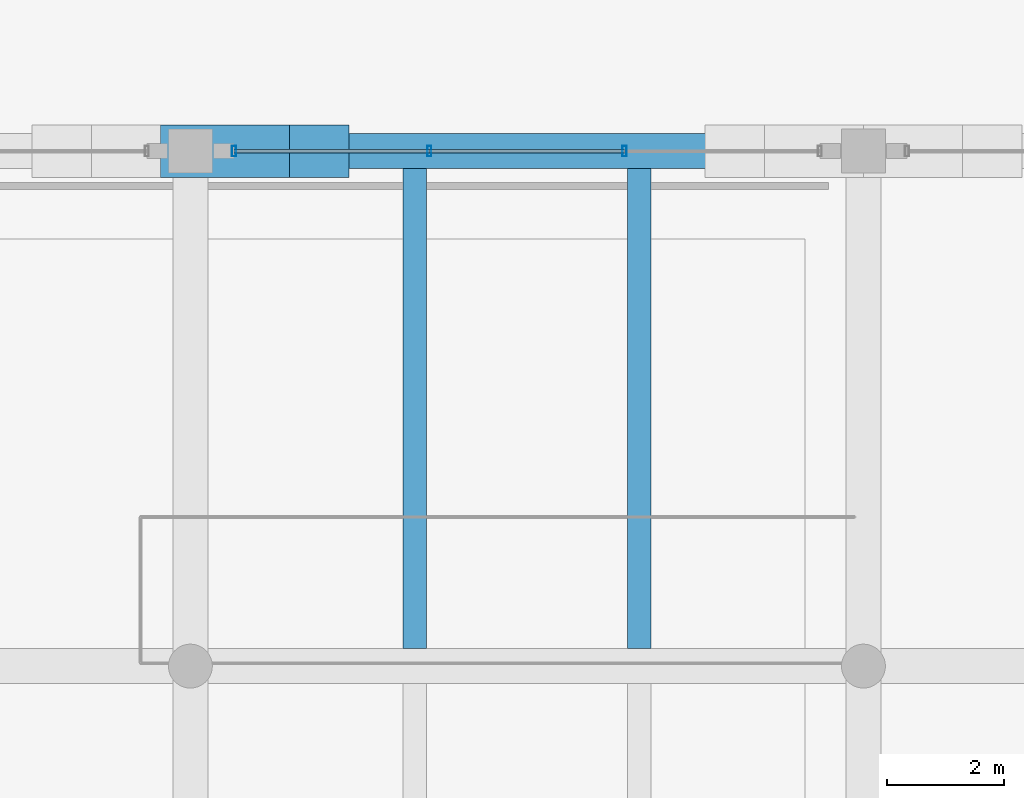
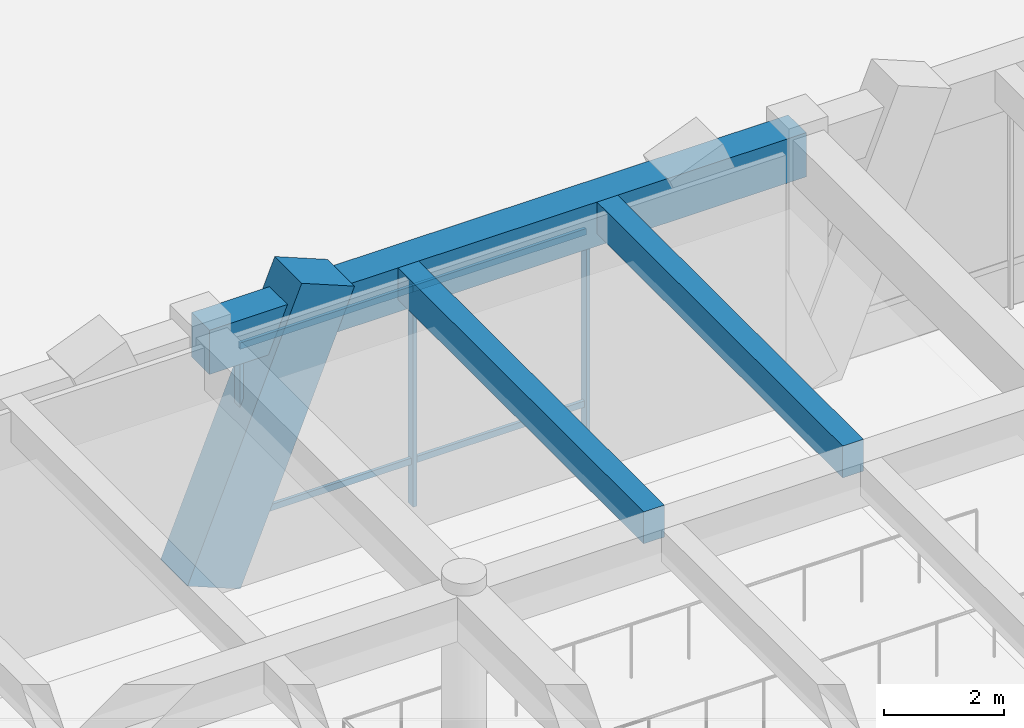
# One storey, part 43 of 148: 8 members, 3 beams, 1 element without a shape of its own.
"""IFC4 building model written with IfcOpenShell, lengths in metres."""

from ifc_helpers import new_model, si_unit, direction, frame, origin, origin_2d, place, context, subcontext, project, spatial, rectangle, hollow_rectangle, extrude, material, material_profile, profile_set, type_object, element, aggregate, save


model = new_model("IFC4")

# Units and contexts
model_context = context("Model", 3, precision=1e-05, world=origin(), true_north=direction((0.0, 1.0)))
body_context = subcontext(model_context, "Body", "Model", "MODEL_VIEW")
ifc_project = project(units=[si_unit("LENGTHUNIT", "METRE"), si_unit("AREAUNIT", "SQUARE_METRE"), si_unit("VOLUMEUNIT", "CUBIC_METRE"), si_unit("PLANEANGLEUNIT", "RADIAN"), si_unit("MASSUNIT", "GRAM", prefix="KILO")], contexts=[model_context])

# Site, building, storey
site_placement = place(None, origin())
site = spatial("IfcSite", under=ifc_project, at=site_placement, CompositionType="ELEMENT")
building_placement = place(site_placement, origin())
building = spatial("IfcBuilding", under=site, at=building_placement, Name="Ologun Quay Terminus", CompositionType="ELEMENT")
storey_placement = place(building_placement, frame((0.0, 0.0, 8.39990234375)))
storey = spatial("IfcBuildingStorey", under=building, at=storey_placement, Name="L02", CompositionType="ELEMENT", Elevation=8.39990234375)

# Curtain wall, members
ifc_material_1 = material(Name="Aluminium 6063-T6", Category="aluminium")
curtain_wall_type = type_object("IfcCurtainWallType", Name="Train Shed South Clerestory Curtain Wall 10700x5050", PredefinedType="USERDEFINED", material=ifc_material_1)
curtain_wall_placement = place(storey_placement, origin())
curtain_wall = element("IfcCurtainWall", 1, at=curtain_wall_placement, inside=storey, type_object=curtain_wall_type, Name="CW-08 Curtain Wall CW-L02-062", ObjectType="UNITISED CURTAIN WALL", PredefinedType="USERDEFINED")
ifc_material_2 = material(Name="Aluminium 6063-T6", Category="aluminium")
ifc_material_profile_1 = material_profile(ifc_material_2, hollow_rectangle(XDim=0.070068359375, YDim=0.179931640625, WallThickness=0.0048828125, at=origin_2d()), Name="ALU 180x70x5")
ifc_profile_set_1 = profile_set([ifc_material_profile_1], Name="Aluminium 6063-T6")
member_type_1 = type_object("IfcMemberType", Name="Concourse Clerestory Mullion 180x70", PredefinedType="MULLION", material=ifc_profile_set_1)
member_1_placement = place(storey_placement, frame((104.2451171875, 36.0, 0.0), z_axis=(0.0, 0.0, 1.0), x_axis=(1.0, 0.0, 0.0)))
member_1 = element("IfcMember", 2, at=member_1_placement, type_object=member_type_1, Name="CW-L02-062 Mullion 1", PredefinedType="MULLION", context=body_context, shape_type="SweptSolid", body=[
    extrude(hollow_rectangle(XDim=0.070068359375, YDim=0.179931640625, WallThickness=0.0048828125, at=origin_2d()), origin(), (0.0, 0.0, 1.0), 5.10009765625),
])
member_2_placement = place(storey_placement, frame((107.581787109375, 36.0, 0.0), z_axis=(0.0, 0.0, 1.0), x_axis=(1.0, 0.0, 0.0)))
member_2 = element("IfcMember", 3, at=member_2_placement, type_object=member_type_1, Name="CW-L02-062 Mullion 2", PredefinedType="MULLION", context=body_context, shape_type="SweptSolid", body=[
    extrude(hollow_rectangle(XDim=0.070068359375, YDim=0.179931640625, WallThickness=0.0048828125, at=origin_2d()), origin(), (0.0, 0.0, 1.0), 5.10009765625),
])
member_3_placement = place(storey_placement, frame((110.918212890625, 36.0, 0.0), z_axis=(0.0, 0.0, 1.0), x_axis=(1.0, 0.0, 0.0)))
member_3 = element("IfcMember", 4, at=member_3_placement, type_object=member_type_1, Name="CW-L02-062 Mullion 3", PredefinedType="MULLION", context=body_context, shape_type="SweptSolid", body=[
    extrude(hollow_rectangle(XDim=0.070068359375, YDim=0.179931640625, WallThickness=0.0048828125, at=origin_2d()), origin(), (0.0, 0.0, 1.0), 5.10009765625),
])
ifc_material_3 = material(Name="Aluminium 6063-T6", Category="aluminium")
ifc_material_profile_2 = material_profile(ifc_material_3, hollow_rectangle(XDim=0.06005859375, YDim=0.1298828125, WallThickness=0.00390625, at=origin_2d()), Name="ALU 130x60x4")
ifc_profile_set_2 = profile_set([ifc_material_profile_2], Name="Aluminium 6063-T6")
member_type_2 = type_object("IfcMemberType", Name="Concourse Clerestory Transom 130x60", PredefinedType="USERDEFINED", material=ifc_profile_set_2)
member_4_placement = place(storey_placement, frame((104.2451171875, 36.0, 0.900146484375), z_axis=(1.0, 0.0, 0.0), x_axis=(0.0, 1.0, 0.0)))
member_4 = element("IfcMember", 5, at=member_4_placement, type_object=member_type_2, Name="CW-L02-062 Transom B1-1", ObjectType="TRANSOM", PredefinedType="USERDEFINED", context=body_context, shape_type="SweptSolid", body=[
    extrude(hollow_rectangle(XDim=0.06005859375, YDim=0.1298828125, WallThickness=0.00390625, at=origin_2d()), origin(), (0.0, 0.0, 1.0), 3.336669921875),
])
member_5_placement = place(storey_placement, frame((104.2451171875, 36.0, 4.400146484375), z_axis=(1.0, 0.0, 0.0), x_axis=(0.0, 1.0, 0.0)))
member_5 = element("IfcMember", 6, at=member_5_placement, type_object=member_type_2, Name="CW-L02-062 Transom B1-2", ObjectType="TRANSOM", PredefinedType="USERDEFINED", context=body_context, shape_type="SweptSolid", body=[
    extrude(hollow_rectangle(XDim=0.06005859375, YDim=0.1298828125, WallThickness=0.00390625, at=origin_2d()), origin(), (0.0, 0.0, 1.0), 3.336669921875),
])
member_6_placement = place(storey_placement, frame((107.581787109375, 36.0, 0.900146484375), z_axis=(1.0, 0.0, 0.0), x_axis=(0.0, 1.0, 0.0)))
member_6 = element("IfcMember", 7, at=member_6_placement, type_object=member_type_2, Name="CW-L02-062 Transom B2-1", ObjectType="TRANSOM", PredefinedType="USERDEFINED", context=body_context, shape_type="SweptSolid", body=[
    extrude(hollow_rectangle(XDim=0.06005859375, YDim=0.1298828125, WallThickness=0.00390625, at=origin_2d()), origin(), (0.0, 0.0, 1.0), 3.33642578125),
])
member_7_placement = place(storey_placement, frame((107.581787109375, 36.0, 4.400146484375), z_axis=(1.0, 0.0, 0.0), x_axis=(0.0, 1.0, 0.0)))
member_7 = element("IfcMember", 8, at=member_7_placement, type_object=member_type_2, Name="CW-L02-062 Transom B2-2", ObjectType="TRANSOM", PredefinedType="USERDEFINED", context=body_context, shape_type="SweptSolid", body=[
    extrude(hollow_rectangle(XDim=0.06005859375, YDim=0.1298828125, WallThickness=0.00390625, at=origin_2d()), origin(), (0.0, 0.0, 1.0), 3.33642578125),
])
aggregate(curtain_wall, [member_1, member_2, member_3, member_4, member_5, member_6, member_7])

# Member
ifc_material_4 = material(Name="Concrete C45/55", Category="concrete")
ifc_material_profile_3 = material_profile(ifc_material_4, rectangle(XDim=0.89990234375, YDim=1.10009765625, at=origin_2d()), Name="RC 900x1100")
ifc_profile_set_3 = profile_set([ifc_material_profile_3], Name="Concrete C45/55")
member_type_3 = type_object("IfcMemberType", Name="Sculpted Concrete Arch V-Buttress Strut 900x1100", PredefinedType="STRUT", material=ifc_profile_set_3)
member_8_placement = place(storey_placement, frame((103.5, 36.0, 0.0), z_axis=(0.377280927807, 0.0, 0.926098861631), x_axis=(0.0, 1.0, 0.0)))
element("IfcMember", 9, at=member_8_placement, inside=storey, type_object=member_type_3, Name="VS1 Arch V-Buttress East Limb 10/E", PredefinedType="STRUT", context=body_context, shape_type="SweptSolid", body=[
    extrude(rectangle(XDim=0.89990234375, YDim=1.10009765625, at=origin_2d()), origin(), (0.0, 0.0, 1.0), 5.8310546875),
])

# Beams
ifc_material_5 = material(Name="Concrete C40/50", Category="concrete")
ifc_material_profile_4 = material_profile(ifc_material_5, rectangle(XDim=0.60009765625, YDim=0.89990234375, at=origin_2d()), Name="RC 600x900")
ifc_profile_set_4 = profile_set([ifc_material_profile_4], Name="Concrete C40/50")
beam_type_1 = type_object("IfcBeamType", Name="Station Frame Girder 600x900", PredefinedType="BEAM", material=ifc_profile_set_4)
beam_placement = place(storey_placement, frame((103.5, 36.0, 4.7001953125), z_axis=(1.0, 0.0, 0.0), x_axis=(0.0, 1.0, 0.0)))
element("IfcBeam", 10, at=beam_placement, inside=storey, type_object=beam_type_1, Name="B3 Beam 10/E L02", PredefinedType="BEAM", context=body_context, shape_type="SweptSolid", body=[
    extrude(rectangle(XDim=0.60009765625, YDim=0.89990234375, at=origin_2d()), origin(), (0.0, 0.0, 1.0), 11.5),
])
ifc_material_6 = material(Name="Concrete C40/50", Category="concrete")
ifc_material_profile_5 = material_profile(ifc_material_6, rectangle(XDim=0.39990234375, YDim=0.64990234375, at=origin_2d()), Name="RC 400x650")
ifc_profile_set_5 = profile_set([ifc_material_profile_5], Name="Concrete C40/50")
beam_type_2 = type_object("IfcBeamType", Name="Station Secondary Joist 400x650", PredefinedType="JOIST", material=ifc_profile_set_5)
for number, where, z_axis, x_axis, name in (
    (11, (107.333251953125, 27.5, 4.8251953125), (0.0, 1.0, 0.0), (-1.0, 0.0, 0.0), "J1 Beam 10/D L02"),
    (12, (111.166748046875, 27.5, 4.8251953125), (0.0, 1.0, 0.0), (-1.0, 0.0, 0.0), "J1 Beam 10/D L02"),
):
    element("IfcBeam", number, at=place(storey_placement, frame(where, z_axis=z_axis, x_axis=x_axis)), inside=storey, type_object=beam_type_2, Name=name, PredefinedType="JOIST", context=body_context, shape_type="SweptSolid", body=[
        extrude(rectangle(XDim=0.39990234375, YDim=0.64990234375, at=origin_2d()), origin(), (0.0, 0.0, 1.0), 8.199951171875),
    ])

save(model, "model.ifc")
